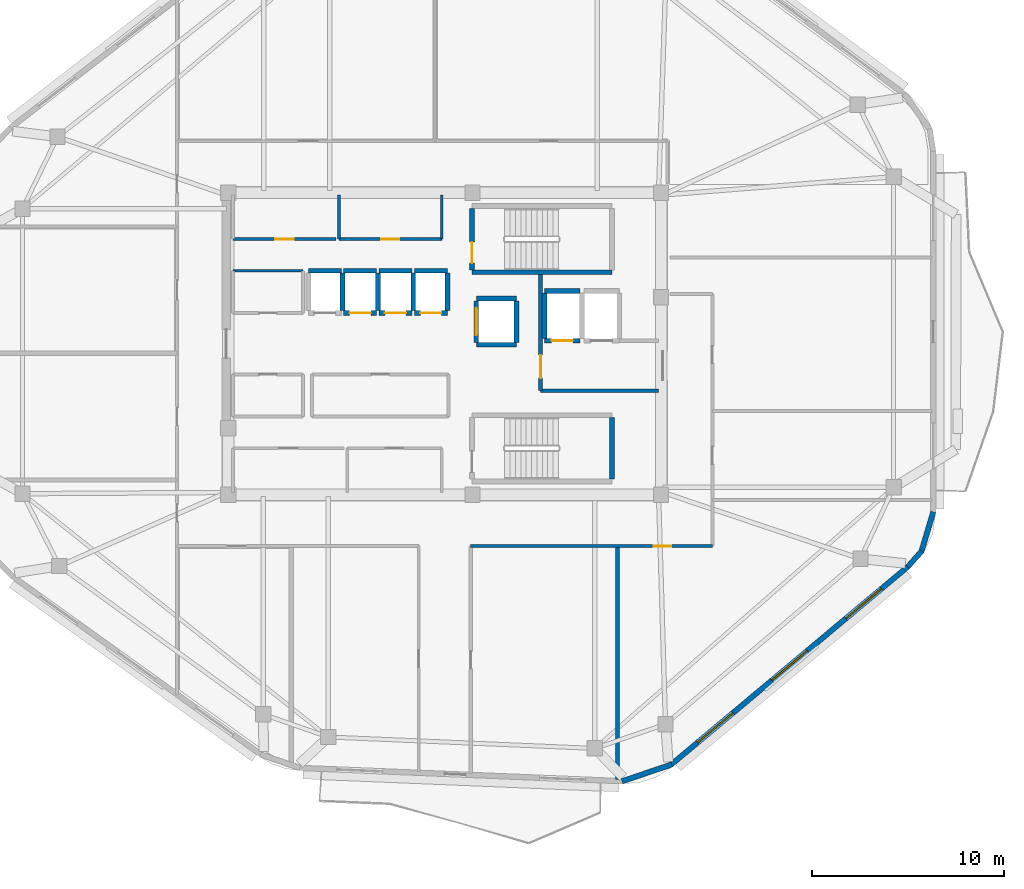
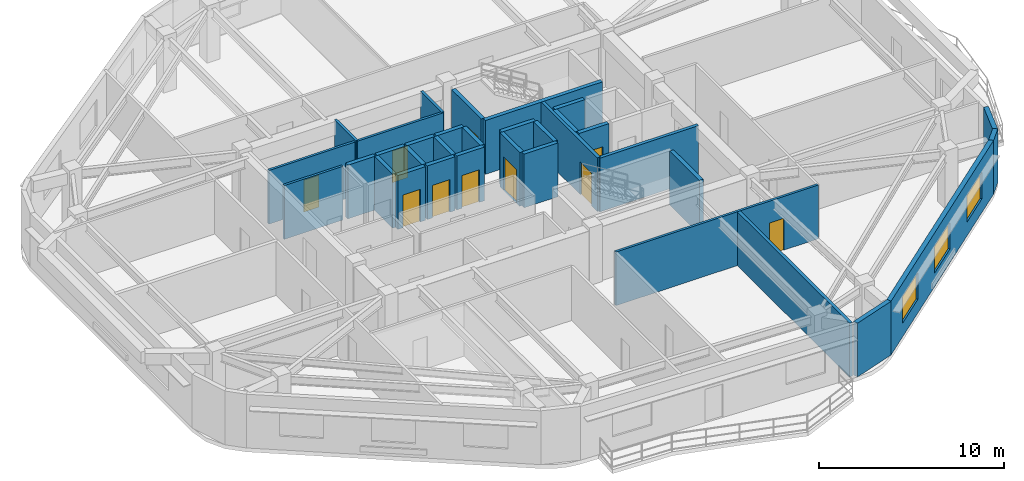
# One storey, part 4 of 8: 34 walls, 10 doors, 3 windows, 13 openings.
"""IFC4 building model written with IfcOpenShell, lengths in metres."""

from ifc_helpers import new_model, si_unit, direction, frame, frame_2d, origin, place, context, subcontext, project, spatial, rectangle, extrude, material, layer, layer_set, type_object, element, fill, save


model = new_model("IFC4")

# Units and contexts
model_context = context("Model", 3, precision=1e-05, world=origin(), true_north=direction((0.0, 1.0)))
body_context = subcontext(model_context, "Body", "Model", "MODEL_VIEW")
ifc_project = project(units=[si_unit("LENGTHUNIT", "METRE"), si_unit("AREAUNIT", "SQUARE_METRE"), si_unit("VOLUMEUNIT", "CUBIC_METRE"), si_unit("PLANEANGLEUNIT", "RADIAN"), si_unit("MASSUNIT", "GRAM", prefix="KILO")], contexts=[model_context])

# Site, building, storey
site_placement = place(None, origin())
site = spatial("IfcSite", under=ifc_project, at=site_placement, CompositionType="ELEMENT")
building_placement = place(site_placement, origin())
building = spatial("IfcBuilding", under=site, at=building_placement, Name="Zulverin Broadcast Headquarters", CompositionType="ELEMENT")
storey_placement = place(building_placement, frame((0.0, 0.0, 274.39990234375)))
storey = spatial("IfcBuildingStorey", under=building, at=storey_placement, Name="L70", CompositionType="ELEMENT", Elevation=274.39990234375)

# Wall
ifc_material_1 = material(Name="Acoustic drywall steel stud", Category="steel")
ifc_layer_1 = layer(ifc_material_1, 0.199951171875, Name="Acoustic drywall steel stud", Category="steel")
ifc_layer_set_1 = layer_set([ifc_layer_1], Name="Acoustic drywall steel stud")
wall_type_1 = type_object("IfcWallType", Name="WL-ACOU-200", PredefinedType="PARTITIONING", material=ifc_layer_set_1)
wall_1_placement = place(storey_placement, frame((46.0, 2.47705078125, 0.0), z_axis=(0.0, 0.0, 1.0), x_axis=(0.0, 1.0, 0.0)))
element("IfcWall", 1, at=wall_1_placement, inside=storey, type_object=wall_type_1, Name="L70 Room Partition Wall RP-03", PredefinedType="PARTITIONING", context=body_context, shape_type="SweptSolid", body=[
    extrude(rectangle(XDim=12.1728515625, YDim=0.199951171875, at=frame_2d((6.08642578125, 0.0))), origin(), (0.0, 0.0, 1.0), 3.5400390625),
])

# Wall, openings, windows
ifc_material_2 = material(Name="Insulated pale-metal clad concrete spandrel C40/50", Category="concrete")
ifc_layer_2 = layer(ifc_material_2, 0.280029296875, Name="Insulated pale-metal clad concrete spandrel C40/50", Category="concrete")
ifc_layer_set_2 = layer_set([ifc_layer_2], Name="Insulated pale-metal clad concrete spandrel C40/50")
wall_type_2 = type_object("IfcWallType", Name="WL-EXT-280", PredefinedType="STANDARD", material=ifc_layer_set_2)
wall_2_placement = place(storey_placement, frame((48.788818359375, 3.249755859375, 0.0), z_axis=(0.0, 0.0, 1.0), x_axis=(0.767032672101, 0.641608042288, 0.0)))
wall_2 = element("IfcWall", 2, at=wall_2_placement, inside=storey, type_object=wall_type_2, Name="L70 Pale-Metal Clad Spandrel Wall 2", PredefinedType="STANDARD", context=body_context, shape_type="SweptSolid", body=[
    extrude(rectangle(XDim=16.11328125, YDim=0.280029296875, at=frame_2d((8.056640625, 0.0))), origin(), (0.0, 0.0, 1.0), 3.5400390625),
])
opening_1_placement = place(wall_2_placement, frame((1.81884765625, 0.0, 0.89990234375)))
opening_1 = element("IfcOpeningElement", 3, at=opening_1_placement, cuts=wall_2, Name="Opening W-L70-E21", PredefinedType="OPENING", context=body_context, shape_type="SweptSolid", body=[
    extrude(rectangle(XDim=2.39990234375, YDim=1.75, at=frame_2d((1.199951171875, 0.875))), frame((0.0, 0.14990234375, 0.0), z_axis=(0.0, -1.0, 0.0), x_axis=(1.0, 0.0, 0.0)), (0.0, 0.0, 1.0), 0.300048828125),
])
opening_2_placement = place(wall_2_placement, frame((6.856689453125, 0.0, 0.89990234375)))
opening_2 = element("IfcOpeningElement", 4, at=opening_2_placement, cuts=wall_2, Name="Opening W-L70-E22", PredefinedType="OPENING", context=body_context, shape_type="SweptSolid", body=[
    extrude(rectangle(XDim=2.39990234375, YDim=1.75, at=frame_2d((1.199951171875, 0.875))), frame((0.0, 0.14990234375, 0.0), z_axis=(0.0, -1.0, 0.0), x_axis=(1.0, 0.0, 0.0)), (0.0, 0.0, 1.0), 0.300048828125),
])
opening_3_placement = place(wall_2_placement, frame((11.89453125, 0.0, 0.89990234375)))
opening_3 = element("IfcOpeningElement", 5, at=opening_3_placement, cuts=wall_2, Name="Opening W-L70-E23", PredefinedType="OPENING", context=body_context, shape_type="SweptSolid", body=[
    extrude(rectangle(XDim=2.39990234375, YDim=1.75, at=frame_2d((1.199951171875, 0.875))), frame((0.0, 0.14990234375, 0.0), z_axis=(0.0, -1.0, 0.0), x_axis=(1.0, 0.0, 0.0)), (0.0, 0.0, 1.0), 0.300048828125),
])
ifc_material_3 = material(Name="Pale anodized aluminium frame with solar-control low-E double glazing", Category="aluminium")
window_type = type_object("IfcWindowType", Name="WIN-RIB-2400", PartitioningType="SINGLE_PANEL", PredefinedType="WINDOW", material=ifc_material_3)
window_1_placement = place(opening_1_placement, origin())
window_1 = element("IfcWindow", 6, at=window_1_placement, inside=storey, type_object=window_type, Name="L70 Ribbon Glazing Window 2 1", OverallHeight=1.75, OverallWidth=2.39990234375, PartitioningType="SINGLE_PANEL", PredefinedType="WINDOW", context=body_context, shape_type="SweptSolid", body=[
    extrude(rectangle(XDim=2.39990234375, YDim=1.75, at=frame_2d((1.199951171875, 0.875))), frame((0.0, 0.030029296875, 0.0), z_axis=(0.0, -1.0, 0.0), x_axis=(1.0, 0.0, 0.0)), (0.0, 0.0, 1.0), 0.06005859375),
])
fill(opening_1, window_1)
window_2_placement = place(opening_2_placement, origin())
window_2 = element("IfcWindow", 7, at=window_2_placement, inside=storey, type_object=window_type, Name="L70 Ribbon Glazing Window 2 2", OverallHeight=1.75, OverallWidth=2.39990234375, PartitioningType="SINGLE_PANEL", PredefinedType="WINDOW", context=body_context, shape_type="SweptSolid", body=[
    extrude(rectangle(XDim=2.39990234375, YDim=1.75, at=frame_2d((1.199951171875, 0.875))), frame((0.0, 0.030029296875, 0.0), z_axis=(0.0, -1.0, 0.0), x_axis=(1.0, 0.0, 0.0)), (0.0, 0.0, 1.0), 0.06005859375),
])
fill(opening_2, window_2)
window_3_placement = place(opening_3_placement, origin())
window_3 = element("IfcWindow", 8, at=window_3_placement, inside=storey, type_object=window_type, Name="L70 Ribbon Glazing Window 2 3", OverallHeight=1.75, OverallWidth=2.39990234375, PartitioningType="SINGLE_PANEL", PredefinedType="WINDOW", context=body_context, shape_type="SweptSolid", body=[
    extrude(rectangle(XDim=2.39990234375, YDim=1.75, at=frame_2d((1.199951171875, 0.875))), frame((0.0, 0.030029296875, 0.0), z_axis=(0.0, -1.0, 0.0), x_axis=(1.0, 0.0, 0.0)), (0.0, 0.0, 1.0), 0.06005859375),
])
fill(opening_3, window_3)

# Walls
wall_3_placement = place(storey_placement, frame((46.239501953125, 2.392822265625, 0.0), z_axis=(0.0, 0.0, 1.0), x_axis=(0.946759165502, 0.321942669643, 0.0)))
element("IfcWall", 9, at=wall_3_placement, inside=storey, type_object=wall_type_2, Name="L70 Wind-Shaped Corner Spandrel Wall 1-1", PredefinedType="STANDARD", context=body_context, shape_type="SweptSolid", body=[
    extrude(rectangle(XDim=2.73974609375, YDim=0.280029296875, at=frame_2d((1.369873046875, 0.0))), origin(), (0.0, 0.0, 1.0), 3.5400390625),
])
wall_4_placement = place(storey_placement, frame((61.133544921875, 13.573974609375, 0.0), z_axis=(0.0, 0.0, 1.0), x_axis=(0.665804679247, 0.74612608123, 0.0)))
element("IfcWall", 10, at=wall_4_placement, inside=storey, type_object=wall_type_2, Name="L70 Wind-Shaped Corner Spandrel Wall 2-1", PredefinedType="STANDARD", context=body_context, shape_type="SweptSolid", body=[
    extrude(rectangle(XDim=1.103271484375, YDim=0.280029296875, at=frame_2d((0.5517578125, 0.0))), origin(), (0.0, 0.0, 1.0), 3.5400390625),
])
wall_5_placement = place(storey_placement, frame((61.838623046875, 14.34423828125, 0.0), z_axis=(0.0, 0.0, 1.0), x_axis=(0.287235049694, 0.957860128739, 0.0)))
element("IfcWall", 11, at=wall_5_placement, inside=storey, type_object=wall_type_2, Name="L70 Wind-Shaped Corner Spandrel Wall 2-2", PredefinedType="STANDARD", context=body_context, shape_type="SweptSolid", body=[
    extrude(rectangle(XDim=2.18359375, YDim=0.280029296875, at=frame_2d((1.091796875, 0.0))), origin(), (0.0, 0.0, 1.0), 3.5400390625),
])

# Wall, opening, door
ifc_material_4 = material(Name="Concrete C40/50", Category="concrete")
ifc_layer_3 = layer(ifc_material_4, 0.199951171875, Name="Concrete C40/50", Category="concrete")
ifc_layer_set_3 = layer_set([ifc_layer_3], Name="Concrete C40/50")
wall_type_3 = type_object("IfcWallType", Name="WL-FFL-200", PredefinedType="SOLIDWALL", material=ifc_layer_set_3)
wall_6_placement = place(storey_placement, frame((42.0, 22.75, 0.0), z_axis=(0.0, 0.0, 1.0), x_axis=(0.0, 1.0, 0.0)))
wall_6 = element("IfcWall", 12, at=wall_6_placement, inside=storey, type_object=wall_type_3, Name="L70 Firefighting Lift Lobby West Wall", PredefinedType="SOLIDWALL", context=body_context, shape_type="SweptSolid", body=[
    extrude(rectangle(XDim=6.050048828125, YDim=0.199951171875, at=frame_2d((3.02490234375, 0.0))), origin(), (0.0, 0.0, 1.0), 3.5400390625),
])
opening_4_placement = place(wall_6_placement, frame((0.64990234375, 0.0, 0.0)))
opening_4 = element("IfcOpeningElement", 13, at=opening_4_placement, cuts=wall_6, Name="Opening D-L70-FFLW", PredefinedType="OPENING", context=body_context, shape_type="SweptSolid", body=[
    extrude(rectangle(XDim=1.199951171875, YDim=2.14990234375, at=frame_2d((0.60009765625, 1.074951171875))), frame((0.0, 0.10986328125, 0.0), z_axis=(0.0, -1.0, 0.0), x_axis=(1.0, 0.0, 0.0)), (0.0, 0.0, 1.0), 0.219970703125),
])
ifc_material_5 = material(Name="Fire-rated steel leaf and frame", Category="steel")
door_type_1 = type_object("IfcDoorType", Name="DR-FFL-1200", OperationType="SINGLE_SWING_RIGHT", PredefinedType="DOOR", material=ifc_material_5)
door_1_placement = place(opening_4_placement, origin())
door_1 = element("IfcDoor", 14, at=door_1_placement, inside=storey, type_object=door_type_1, Name="L70 Firefighting Lift Lobby Door", OperationType="SINGLE_SWING_RIGHT", OverallHeight=2.14990234375, OverallWidth=1.199951171875, PredefinedType="DOOR", context=body_context, shape_type="SweptSolid", body=[
    extrude(rectangle(XDim=1.199951171875, YDim=2.14990234375, at=frame_2d((0.60009765625, 1.074951171875))), frame((0.0, 0.02490234375, 0.0), z_axis=(0.0, -1.0, 0.0), x_axis=(1.0, 0.0, 0.0)), (0.0, 0.0, 1.0), 0.050048828125),
])
fill(opening_4, door_1)

# Wall
wall_7_placement = place(storey_placement, frame((42.0, 22.75, 0.0), z_axis=(0.0, 0.0, 1.0), x_axis=(1.0, 0.0, 0.0)))
element("IfcWall", 15, at=wall_7_placement, inside=storey, type_object=wall_type_3, Name="L70 Firefighting Lift Lobby South Wall", PredefinedType="SOLIDWALL", context=body_context, shape_type="SweptSolid", body=[
    extrude(rectangle(XDim=6.14990234375, YDim=0.199951171875, at=frame_2d((3.074951171875, 0.0))), origin(), (0.0, 0.0, 1.0), 3.5400390625),
])

# Wall, opening, door
ifc_material_6 = material(Name="Fire-rated gypsum stud partition", Category="gypsum")
ifc_layer_4 = layer(ifc_material_6, 0.14990234375, Name="Fire-rated gypsum stud partition", Category="gypsum")
ifc_layer_set_4 = layer_set([ifc_layer_4], Name="Fire-rated gypsum stud partition")
wall_type_4 = type_object("IfcWallType", Name="WL-PART-150", PredefinedType="PARTITIONING", material=ifc_layer_set_4)
wall_8_placement = place(storey_placement, frame((25.969970703125, 30.64990234375, 0.0), z_axis=(0.0, 0.0, 1.0), x_axis=(1.0, 0.0, 0.0)))
wall_8 = element("IfcWall", 16, at=wall_8_placement, inside=storey, type_object=wall_type_4, Name="L70 Core Male WC Front Wall", PredefinedType="PARTITIONING", context=body_context, shape_type="SweptSolid", body=[
    extrude(rectangle(XDim=5.360107421875, YDim=0.14990234375, at=frame_2d((2.68017578125, 0.0))), origin(), (0.0, 0.0, 1.0), 3.5400390625),
])
opening_5_placement = place(wall_8_placement, frame((2.205078125, 0.0, 0.0)))
opening_5 = element("IfcOpeningElement", 17, at=opening_5_placement, cuts=wall_8, Name="Opening D-L70-NC1", PredefinedType="OPENING", context=body_context, shape_type="SweptSolid", body=[
    extrude(rectangle(XDim=0.949951171875, YDim=2.10009765625, at=frame_2d((0.47509765625, 1.050048828125))), frame((0.0, 0.0849609375, 0.0), z_axis=(0.0, -1.0, 0.0), x_axis=(1.0, 0.0, 0.0)), (0.0, 0.0, 1.0), 0.169921875),
])
ifc_material_7 = material(Name="Fire-rated moisture-resistant laminate leaf", Category="wood")
door_type_2 = type_object("IfcDoorType", Name="DR-WC-950", OperationType="SINGLE_SWING_LEFT", PredefinedType="DOOR", material=ifc_material_7)
door_2_placement = place(opening_5_placement, origin())
door_2 = element("IfcDoor", 18, at=door_2_placement, inside=storey, type_object=door_type_2, Name="L70 Male WC Door", OperationType="SINGLE_SWING_LEFT", OverallHeight=2.10009765625, OverallWidth=0.949951171875, PredefinedType="DOOR", context=body_context, shape_type="SweptSolid", body=[
    extrude(rectangle(XDim=0.949951171875, YDim=2.10009765625, at=frame_2d((0.47509765625, 1.050048828125))), frame((0.0, 0.02490234375, 0.0), z_axis=(0.0, -1.0, 0.0), x_axis=(1.0, 0.0, 0.0)), (0.0, 0.0, 1.0), 0.050048828125),
])
fill(opening_5, door_2)

wall_9_placement = place(storey_placement, frame((31.489990234375, 30.64990234375, 0.0), z_axis=(0.0, 0.0, 1.0), x_axis=(1.0, 0.0, 0.0)))
wall_9 = element("IfcWall", 19, at=wall_9_placement, inside=storey, type_object=wall_type_4, Name="L70 Core Accessible WC Front Wall", PredefinedType="PARTITIONING", context=body_context, shape_type="SweptSolid", body=[
    extrude(rectangle(XDim=5.360107421875, YDim=0.14990234375, at=frame_2d((2.68017578125, 0.0))), origin(), (0.0, 0.0, 1.0), 3.5400390625),
])
opening_6_placement = place(wall_9_placement, frame((2.205078125, 0.0, 0.0)))
opening_6 = element("IfcOpeningElement", 20, at=opening_6_placement, cuts=wall_9, Name="Opening D-L70-NC2", PredefinedType="OPENING", context=body_context, shape_type="SweptSolid", body=[
    extrude(rectangle(XDim=0.949951171875, YDim=2.10009765625, at=frame_2d((0.47509765625, 1.050048828125))), frame((0.0, 0.0849609375, 0.0), z_axis=(0.0, -1.0, 0.0), x_axis=(1.0, 0.0, 0.0)), (0.0, 0.0, 1.0), 0.169921875),
])
door_3_placement = place(opening_6_placement, origin())
door_3 = element("IfcDoor", 21, at=door_3_placement, inside=storey, type_object=door_type_2, Name="L70 Accessible WC Door", OperationType="SINGLE_SWING_RIGHT", OverallHeight=2.10009765625, OverallWidth=0.949951171875, PredefinedType="DOOR", context=body_context, shape_type="SweptSolid", body=[
    extrude(rectangle(XDim=0.949951171875, YDim=2.10009765625, at=frame_2d((0.47509765625, 1.050048828125))), frame((0.0, 0.02490234375, 0.0), z_axis=(0.0, -1.0, 0.0), x_axis=(1.0, 0.0, 0.0)), (0.0, 0.0, 1.0), 0.050048828125),
])
fill(opening_6, door_3)

# Walls
for number, where, z_axis, x_axis, name in (
    (22, (31.489990234375, 30.64990234375, 0.0), (0.0, 0.0, 1.0), (0.0, 1.0, 0.0), "L70 Core Accessible WC West Wall"),
    (23, (36.85009765625, 30.64990234375, 0.0), (0.0, 0.0, 1.0), (0.0, 1.0, 0.0), "L70 Core Accessible WC East Wall"),
):
    element("IfcWall", number, at=place(storey_placement, frame(where, z_axis=z_axis, x_axis=x_axis)), inside=storey, type_object=wall_type_4, Name=name, PredefinedType="PARTITIONING", context=body_context, shape_type="SweptSolid", body=[
        extrude(rectangle(XDim=2.300048828125, YDim=0.14990234375, at=frame_2d((1.14990234375, 0.0))), origin(), (0.0, 0.0, 1.0), 3.5400390625),
    ])
wall_10_placement = place(storey_placement, frame((25.969970703125, 29.0, 0.0), z_axis=(0.0, 0.0, 1.0), x_axis=(1.0, 0.0, 0.0)))
element("IfcWall", 24, at=wall_10_placement, inside=storey, type_object=wall_type_4, Name="L70 Broadcast Signal Patch Room N Wall", PredefinedType="PARTITIONING", context=body_context, shape_type="SweptSolid", body=[
    extrude(rectangle(XDim=3.650146484375, YDim=0.14990234375, at=frame_2d((1.8251953125, 0.0))), origin(), (0.0, 0.0, 1.0), 3.5400390625),
])

# Wall, opening, door
wall_11_placement = place(storey_placement, frame((38.35009765625, 14.64990234375, 0.0), z_axis=(0.0, 0.0, 1.0), x_axis=(1.0, 0.0, 0.0)))
wall_11 = element("IfcWall", 25, at=wall_11_placement, inside=storey, type_object=wall_type_4, Name="L70 Gallery Partition Wall CG-10", PredefinedType="PARTITIONING", context=body_context, shape_type="SweptSolid", body=[
    extrude(rectangle(XDim=12.599853515625, YDim=0.14990234375, at=frame_2d((6.2998046875, 0.0))), origin(), (0.0, 0.0, 1.0), 3.5400390625),
])
opening_7_placement = place(wall_11_placement, frame((9.554931640625, 0.0, 0.0)))
opening_7 = element("IfcOpeningElement", 26, at=opening_7_placement, cuts=wall_11, Name="Opening D-L70-06", PredefinedType="OPENING", context=body_context, shape_type="SweptSolid", body=[
    extrude(rectangle(XDim=0.89990234375, YDim=2.10009765625, at=frame_2d((0.449951171875, 1.050048828125))), frame((0.0, 0.0849609375, 0.0), z_axis=(0.0, -1.0, 0.0), x_axis=(1.0, 0.0, 0.0)), (0.0, 0.0, 1.0), 0.169921875),
])
ifc_material_8 = material(Name="Fire-rated hardwood veneer timber leaf", Category="wood")
door_type_3 = type_object("IfcDoorType", Name="DR-ROOM-900", OperationType="SINGLE_SWING_RIGHT", PredefinedType="DOOR", material=ifc_material_8)
door_4_placement = place(opening_7_placement, origin())
door_4 = element("IfcDoor", 27, at=door_4_placement, inside=storey, type_object=door_type_3, Name="L70 Panorama Cafe & Bar Door", OperationType="SINGLE_SWING_LEFT", OverallHeight=2.10009765625, OverallWidth=0.89990234375, PredefinedType="DOOR", context=body_context, shape_type="SweptSolid", body=[
    extrude(rectangle(XDim=0.89990234375, YDim=2.10009765625, at=frame_2d((0.449951171875, 1.050048828125))), frame((0.0, 0.02490234375, 0.0), z_axis=(0.0, -1.0, 0.0), x_axis=(1.0, 0.0, 0.0)), (0.0, 0.0, 1.0), 0.050048828125),
])
fill(opening_7, door_4)

# Wall
ifc_material_9 = material(Name="Concrete C50/60", Category="concrete")
ifc_layer_5 = layer(ifc_material_9, 0.25, Name="Concrete C50/60", Category="concrete")
ifc_layer_set_5 = layer_set([ifc_layer_5], Name="Concrete C50/60")
wall_type_5 = type_object("IfcWallType", Name="WL-SHAFT-250", PredefinedType="SHEAR", material=ifc_layer_set_5)
wall_12_placement = place(storey_placement, frame((38.425048828125, 28.925048828125, 0.0), z_axis=(0.0, 0.0, 1.0), x_axis=(1.0, 0.0, 0.0)))
element("IfcWall", 28, at=wall_12_placement, inside=storey, type_object=wall_type_5, Name="L70 ST-1 Enclosure Wall S", PredefinedType="SHEAR", context=body_context, shape_type="SweptSolid", body=[
    extrude(rectangle(XDim=7.300048828125, YDim=0.25, at=frame_2d((3.64990234375, 0.0))), origin(), (0.0, 0.0, 1.0), 3.5400390625),
])

# Wall, opening, door
wall_13_placement = place(storey_placement, frame((38.425048828125, 29.050048828125, 0.0), z_axis=(0.0, 0.0, 1.0), x_axis=(0.0, 1.0, 0.0)))
wall_13 = element("IfcWall", 29, at=wall_13_placement, inside=storey, type_object=wall_type_5, Name="L70 ST-1 Enclosure Wall W", PredefinedType="SHEAR", context=body_context, shape_type="SweptSolid", body=[
    extrude(rectangle(XDim=3.199951171875, YDim=0.25, at=frame_2d((1.60009765625, 0.0))), origin(), (0.0, 0.0, 1.0), 3.5400390625),
])
opening_8_placement = place(wall_13_placement, frame((0.35009765625, 0.0, 0.0)))
opening_8 = element("IfcOpeningElement", 30, at=opening_8_placement, cuts=wall_13, Name="Opening D-L70-ST-1", PredefinedType="OPENING", context=body_context, shape_type="SweptSolid", body=[
    extrude(rectangle(XDim=1.10009765625, YDim=2.14990234375, at=frame_2d((0.550048828125, 1.074951171875))), frame((0.0, 0.135009765625, 0.0), z_axis=(0.0, -1.0, 0.0), x_axis=(1.0, 0.0, 0.0)), (0.0, 0.0, 1.0), 0.27001953125),
])
door_type_4 = type_object("IfcDoorType", Name="DR-STAIR-1100", OperationType="SINGLE_SWING_LEFT", PredefinedType="DOOR", material=ifc_material_5)
door_5_placement = place(opening_8_placement, origin())
door_5 = element("IfcDoor", 31, at=door_5_placement, inside=storey, type_object=door_type_4, Name="L70 Exit Stair ST-1 Fire Door", OperationType="SINGLE_SWING_LEFT", OverallHeight=2.14990234375, OverallWidth=1.10009765625, PredefinedType="DOOR", context=body_context, shape_type="SweptSolid", body=[
    extrude(rectangle(XDim=1.10009765625, YDim=2.14990234375, at=frame_2d((0.550048828125, 1.074951171875))), frame((0.0, 0.02490234375, 0.0), z_axis=(0.0, -1.0, 0.0), x_axis=(1.0, 0.0, 0.0)), (0.0, 0.0, 1.0), 0.050048828125),
])
fill(opening_8, door_5)

# Walls
wall_14_placement = place(storey_placement, frame((45.72509765625, 18.14990234375, 0.0), z_axis=(0.0, 0.0, 1.0), x_axis=(0.0, 1.0, 0.0)))
element("IfcWall", 32, at=wall_14_placement, inside=storey, type_object=wall_type_5, Name="L70 ST-2 Enclosure Wall E", PredefinedType="SHEAR", context=body_context, shape_type="SweptSolid", body=[
    extrude(rectangle(XDim=3.2001953125, YDim=0.25, at=frame_2d((1.60009765625, 0.0))), origin(), (0.0, 0.0, 1.0), 3.5400390625),
])
wall_15_placement = place(storey_placement, frame((29.89990234375, 29.0, 0.0), z_axis=(0.0, 0.0, 1.0), x_axis=(1.0, 0.0, 0.0)))
element("IfcWall", 33, at=wall_15_placement, inside=storey, type_object=wall_type_5, Name="L70 Lift PL-H1 Shaft Wall N", PredefinedType="SHEAR", context=body_context, shape_type="SweptSolid", body=[
    extrude(rectangle(XDim=1.72021484375, YDim=0.25, at=frame_2d((0.860107421875, 0.0))), origin(), (0.0, 0.0, 1.0), 3.5400390625),
])
wall_16_placement = place(storey_placement, frame((31.679931640625, 26.919921875, 0.0), z_axis=(0.0, 0.0, 1.0), x_axis=(0.0, 1.0, 0.0)))
element("IfcWall", 34, at=wall_16_placement, inside=storey, type_object=wall_type_5, Name="L70 Lift PL-H1 Shaft Wall E", PredefinedType="SHEAR", context=body_context, shape_type="SweptSolid", body=[
    extrude(rectangle(XDim=1.9599609375, YDim=0.25, at=frame_2d((0.97998046875, 0.0))), origin(), (0.0, 0.0, 1.0), 3.5400390625),
])

# Wall, opening, door
wall_17_placement = place(storey_placement, frame((31.739990234375, 26.800048828125, 0.0), z_axis=(0.0, 0.0, 1.0), x_axis=(1.0, 0.0, 0.0)))
wall_17 = element("IfcWall", 35, at=wall_17_placement, inside=storey, type_object=wall_type_5, Name="L70 Lift PL-H2 Shaft Wall S", PredefinedType="SHEAR", context=body_context, shape_type="SweptSolid", body=[
    extrude(rectangle(XDim=1.719970703125, YDim=0.25, at=frame_2d((0.85986328125, 0.0))), origin(), (0.0, 0.0, 1.0), 3.5400390625),
])
opening_9_placement = place(wall_17_placement, frame((0.31005859375, 0.0, 0.0)))
opening_9 = element("IfcOpeningElement", 36, at=opening_9_placement, cuts=wall_17, Name="Opening LD-PL-H2-L70", PredefinedType="OPENING", context=body_context, shape_type="SweptSolid", body=[
    extrude(rectangle(XDim=1.10009765625, YDim=2.14990234375, at=frame_2d((0.550048828125, 1.074951171875))), frame((0.0, 0.135009765625, 0.0), z_axis=(0.0, -1.0, 0.0), x_axis=(1.0, 0.0, 0.0)), (0.0, 0.0, 1.0), 0.27001953125),
])
ifc_material_10 = material(Name="Brushed stainless steel landing", Category="steel")
door_type_5 = type_object("IfcDoorType", Name="LD-PASS-1100", OperationType="DOUBLE_DOOR_SLIDING", PredefinedType="DOOR", material=ifc_material_10)
door_6_placement = place(opening_9_placement, origin())
door_6 = element("IfcDoor", 37, at=door_6_placement, inside=storey, type_object=door_type_5, Name="L70 Lift PL-H2 Sliding Landing Door", OperationType="DOUBLE_DOOR_SLIDING", OverallHeight=2.14990234375, OverallWidth=1.10009765625, PredefinedType="DOOR", context=body_context, shape_type="SweptSolid", body=[
    extrude(rectangle(XDim=1.10009765625, YDim=2.14990234375, at=frame_2d((0.550048828125, 1.074951171875))), frame((0.0, 0.02490234375, 0.0), z_axis=(0.0, -1.0, 0.0), x_axis=(1.0, 0.0, 0.0)), (0.0, 0.0, 1.0), 0.050048828125),
])
fill(opening_9, door_6)

# Walls
wall_18_placement = place(storey_placement, frame((31.739990234375, 29.0, 0.0), z_axis=(0.0, 0.0, 1.0), x_axis=(1.0, 0.0, 0.0)))
element("IfcWall", 38, at=wall_18_placement, inside=storey, type_object=wall_type_5, Name="L70 Lift PL-H2 Shaft Wall N", PredefinedType="SHEAR", context=body_context, shape_type="SweptSolid", body=[
    extrude(rectangle(XDim=1.719970703125, YDim=0.25, at=frame_2d((0.85986328125, 0.0))), origin(), (0.0, 0.0, 1.0), 3.5400390625),
])
wall_19_placement = place(storey_placement, frame((33.52001953125, 26.919921875, 0.0), z_axis=(0.0, 0.0, 1.0), x_axis=(0.0, 1.0, 0.0)))
element("IfcWall", 39, at=wall_19_placement, inside=storey, type_object=wall_type_5, Name="L70 Lift PL-H2 Shaft Wall E", PredefinedType="SHEAR", context=body_context, shape_type="SweptSolid", body=[
    extrude(rectangle(XDim=1.9599609375, YDim=0.25, at=frame_2d((0.97998046875, 0.0))), origin(), (0.0, 0.0, 1.0), 3.5400390625),
])

# Wall, opening, door
wall_20_placement = place(storey_placement, frame((33.580078125, 26.800048828125, 0.0), z_axis=(0.0, 0.0, 1.0), x_axis=(1.0, 0.0, 0.0)))
wall_20 = element("IfcWall", 40, at=wall_20_placement, inside=storey, type_object=wall_type_5, Name="L70 Lift PL-H3 Shaft Wall S", PredefinedType="SHEAR", context=body_context, shape_type="SweptSolid", body=[
    extrude(rectangle(XDim=1.719970703125, YDim=0.25, at=frame_2d((0.85986328125, 0.0))), origin(), (0.0, 0.0, 1.0), 3.5400390625),
])
opening_10_placement = place(wall_20_placement, frame((0.31005859375, 0.0, 0.0)))
opening_10 = element("IfcOpeningElement", 41, at=opening_10_placement, cuts=wall_20, Name="Opening LD-PL-H3-L70", PredefinedType="OPENING", context=body_context, shape_type="SweptSolid", body=[
    extrude(rectangle(XDim=1.10009765625, YDim=2.14990234375, at=frame_2d((0.550048828125, 1.074951171875))), frame((0.0, 0.135009765625, 0.0), z_axis=(0.0, -1.0, 0.0), x_axis=(1.0, 0.0, 0.0)), (0.0, 0.0, 1.0), 0.27001953125),
])
door_7_placement = place(opening_10_placement, origin())
door_7 = element("IfcDoor", 42, at=door_7_placement, inside=storey, type_object=door_type_5, Name="L70 Lift PL-H3 Sliding Landing Door", OperationType="DOUBLE_DOOR_SLIDING", OverallHeight=2.14990234375, OverallWidth=1.10009765625, PredefinedType="DOOR", context=body_context, shape_type="SweptSolid", body=[
    extrude(rectangle(XDim=1.10009765625, YDim=2.14990234375, at=frame_2d((0.550048828125, 1.074951171875))), frame((0.0, 0.02490234375, 0.0), z_axis=(0.0, -1.0, 0.0), x_axis=(1.0, 0.0, 0.0)), (0.0, 0.0, 1.0), 0.050048828125),
])
fill(opening_10, door_7)

# Walls
wall_21_placement = place(storey_placement, frame((33.580078125, 29.0, 0.0), z_axis=(0.0, 0.0, 1.0), x_axis=(1.0, 0.0, 0.0)))
element("IfcWall", 43, at=wall_21_placement, inside=storey, type_object=wall_type_5, Name="L70 Lift PL-H3 Shaft Wall N", PredefinedType="SHEAR", context=body_context, shape_type="SweptSolid", body=[
    extrude(rectangle(XDim=1.719970703125, YDim=0.25, at=frame_2d((0.85986328125, 0.0))), origin(), (0.0, 0.0, 1.0), 3.5400390625),
])
wall_22_placement = place(storey_placement, frame((35.360107421875, 26.919921875, 0.0), z_axis=(0.0, 0.0, 1.0), x_axis=(0.0, 1.0, 0.0)))
element("IfcWall", 44, at=wall_22_placement, inside=storey, type_object=wall_type_5, Name="L70 Lift PL-H3 Shaft Wall E", PredefinedType="SHEAR", context=body_context, shape_type="SweptSolid", body=[
    extrude(rectangle(XDim=1.9599609375, YDim=0.25, at=frame_2d((0.97998046875, 0.0))), origin(), (0.0, 0.0, 1.0), 3.5400390625),
])

# Wall, opening, door
wall_23_placement = place(storey_placement, frame((35.419921875, 26.800048828125, 0.0), z_axis=(0.0, 0.0, 1.0), x_axis=(1.0, 0.0, 0.0)))
wall_23 = element("IfcWall", 45, at=wall_23_placement, inside=storey, type_object=wall_type_5, Name="L70 Lift PL-H4 Shaft Wall S", PredefinedType="SHEAR", context=body_context, shape_type="SweptSolid", body=[
    extrude(rectangle(XDim=1.719970703125, YDim=0.25, at=frame_2d((0.85986328125, 0.0))), origin(), (0.0, 0.0, 1.0), 3.5400390625),
])
opening_11_placement = place(wall_23_placement, frame((0.31005859375, 0.0, 0.0)))
opening_11 = element("IfcOpeningElement", 46, at=opening_11_placement, cuts=wall_23, Name="Opening LD-PL-H4-L70", PredefinedType="OPENING", context=body_context, shape_type="SweptSolid", body=[
    extrude(rectangle(XDim=1.10009765625, YDim=2.14990234375, at=frame_2d((0.550048828125, 1.074951171875))), frame((0.0, 0.135009765625, 0.0), z_axis=(0.0, -1.0, 0.0), x_axis=(1.0, 0.0, 0.0)), (0.0, 0.0, 1.0), 0.27001953125),
])
door_8_placement = place(opening_11_placement, origin())
door_8 = element("IfcDoor", 47, at=door_8_placement, inside=storey, type_object=door_type_5, Name="L70 Lift PL-H4 Sliding Landing Door", OperationType="DOUBLE_DOOR_SLIDING", OverallHeight=2.14990234375, OverallWidth=1.10009765625, PredefinedType="DOOR", context=body_context, shape_type="SweptSolid", body=[
    extrude(rectangle(XDim=1.10009765625, YDim=2.14990234375, at=frame_2d((0.550048828125, 1.074951171875))), frame((0.0, 0.02490234375, 0.0), z_axis=(0.0, -1.0, 0.0), x_axis=(1.0, 0.0, 0.0)), (0.0, 0.0, 1.0), 0.050048828125),
])
fill(opening_11, door_8)

# Walls
wall_24_placement = place(storey_placement, frame((35.419921875, 29.0, 0.0), z_axis=(0.0, 0.0, 1.0), x_axis=(1.0, 0.0, 0.0)))
element("IfcWall", 48, at=wall_24_placement, inside=storey, type_object=wall_type_5, Name="L70 Lift PL-H4 Shaft Wall N", PredefinedType="SHEAR", context=body_context, shape_type="SweptSolid", body=[
    extrude(rectangle(XDim=1.719970703125, YDim=0.25, at=frame_2d((0.85986328125, 0.0))), origin(), (0.0, 0.0, 1.0), 3.5400390625),
])
wall_25_placement = place(storey_placement, frame((37.139892578125, 26.919921875, 0.0), z_axis=(0.0, 0.0, 1.0), x_axis=(0.0, 1.0, 0.0)))
element("IfcWall", 49, at=wall_25_placement, inside=storey, type_object=wall_type_5, Name="L70 Lift PL-H4 Shaft Wall E", PredefinedType="SHEAR", context=body_context, shape_type="SweptSolid", body=[
    extrude(rectangle(XDim=1.9599609375, YDim=0.25, at=frame_2d((0.97998046875, 0.0))), origin(), (0.0, 0.0, 1.0), 3.5400390625),
])

# Wall, opening, door
wall_26_placement = place(storey_placement, frame((42.199951171875, 25.35009765625, 0.0), z_axis=(0.0, 0.0, 1.0), x_axis=(1.0, 0.0, 0.0)))
wall_26 = element("IfcWall", 50, at=wall_26_placement, inside=storey, type_object=wall_type_5, Name="L70 Lift FFL-1 Shaft Wall S", PredefinedType="SHEAR", context=body_context, shape_type="SweptSolid", body=[
    extrude(rectangle(XDim=1.85009765625, YDim=0.25, at=frame_2d((0.925048828125, 0.0))), origin(), (0.0, 0.0, 1.0), 3.5400390625),
])
opening_12_placement = place(wall_26_placement, frame((0.375, 0.0, 0.0)))
opening_12 = element("IfcOpeningElement", 51, at=opening_12_placement, cuts=wall_26, Name="Opening LD-FFL-1-L70", PredefinedType="OPENING", context=body_context, shape_type="SweptSolid", body=[
    extrude(rectangle(XDim=1.10009765625, YDim=2.14990234375, at=frame_2d((0.550048828125, 1.074951171875))), frame((0.0, 0.135009765625, 0.0), z_axis=(0.0, -1.0, 0.0), x_axis=(1.0, 0.0, 0.0)), (0.0, 0.0, 1.0), 0.27001953125),
])
ifc_material_11 = material(Name="Fire-rated stainless landing door", Category="steel")
door_type_6 = type_object("IfcDoorType", Name="LD-FFL-1100", OperationType="DOUBLE_DOOR_SLIDING", PredefinedType="DOOR", material=ifc_material_11)
door_9_placement = place(opening_12_placement, origin())
door_9 = element("IfcDoor", 52, at=door_9_placement, inside=storey, type_object=door_type_6, Name="L70 Lift FFL-1 Sliding Landing Door", OperationType="DOUBLE_DOOR_SLIDING", OverallHeight=2.14990234375, OverallWidth=1.10009765625, PredefinedType="DOOR", context=body_context, shape_type="SweptSolid", body=[
    extrude(rectangle(XDim=1.10009765625, YDim=2.14990234375, at=frame_2d((0.550048828125, 1.074951171875))), frame((0.0, 0.02490234375, 0.0), z_axis=(0.0, -1.0, 0.0), x_axis=(1.0, 0.0, 0.0)), (0.0, 0.0, 1.0), 0.050048828125),
])
fill(opening_12, door_9)

# Walls
wall_27_placement = place(storey_placement, frame((42.199951171875, 27.949951171875, 0.0), z_axis=(0.0, 0.0, 1.0), x_axis=(1.0, 0.0, 0.0)))
element("IfcWall", 53, at=wall_27_placement, inside=storey, type_object=wall_type_5, Name="L70 Lift FFL-1 Shaft Wall N", PredefinedType="SHEAR", context=body_context, shape_type="SweptSolid", body=[
    extrude(rectangle(XDim=1.85009765625, YDim=0.25, at=frame_2d((0.925048828125, 0.0))), origin(), (0.0, 0.0, 1.0), 3.5400390625),
])
wall_28_placement = place(storey_placement, frame((42.199951171875, 25.469970703125, 0.0), z_axis=(0.0, 0.0, 1.0), x_axis=(0.0, 1.0, 0.0)))
element("IfcWall", 54, at=wall_28_placement, inside=storey, type_object=wall_type_5, Name="L70 Lift FFL-1 Shaft Wall W", PredefinedType="SHEAR", context=body_context, shape_type="SweptSolid", body=[
    extrude(rectangle(XDim=2.360107421875, YDim=0.25, at=frame_2d((1.18017578125, 0.0))), origin(), (0.0, 0.0, 1.0), 3.5400390625),
])
for number, where, z_axis, x_axis, name in (
    (55, (38.64990234375, 25.14990234375, 0.0), (0.0, 0.0, 1.0), (1.0, 0.0, 0.0), "L70 Lift SVL-1 Shaft Wall S"),
    (56, (38.64990234375, 27.550048828125, 0.0), (0.0, 0.0, 1.0), (1.0, 0.0, 0.0), "L70 Lift SVL-1 Shaft Wall N"),
):
    element("IfcWall", number, at=place(storey_placement, frame(where, z_axis=z_axis, x_axis=x_axis)), inside=storey, type_object=wall_type_5, Name=name, PredefinedType="SHEAR", context=body_context, shape_type="SweptSolid", body=[
        extrude(rectangle(XDim=2.10009765625, YDim=0.25, at=frame_2d((1.050048828125, 0.0))), origin(), (0.0, 0.0, 1.0), 3.5400390625),
    ])

# Wall, opening, door
wall_29_placement = place(storey_placement, frame((38.64990234375, 25.27001953125, 0.0), z_axis=(0.0, 0.0, 1.0), x_axis=(0.0, 1.0, 0.0)))
wall_29 = element("IfcWall", 57, at=wall_29_placement, inside=storey, type_object=wall_type_5, Name="L70 Lift SVL-1 Shaft Wall W", PredefinedType="SHEAR", context=body_context, shape_type="SweptSolid", body=[
    extrude(rectangle(XDim=2.159912109375, YDim=0.25, at=frame_2d((1.080078125, 0.0))), origin(), (0.0, 0.0, 1.0), 3.5400390625),
])
opening_13_placement = place(wall_29_placement, frame((0.3798828125, 0.0, 0.0)))
opening_13 = element("IfcOpeningElement", 58, at=opening_13_placement, cuts=wall_29, Name="Opening LD-SVL-1-L70", PredefinedType="OPENING", context=body_context, shape_type="SweptSolid", body=[
    extrude(rectangle(XDim=1.39990234375, YDim=2.199951171875, at=frame_2d((0.699951171875, 1.10009765625))), frame((0.0, 0.135009765625, 0.0), z_axis=(0.0, -1.0, 0.0), x_axis=(1.0, 0.0, 0.0)), (0.0, 0.0, 1.0), 0.27001953125),
])
ifc_material_12 = material(Name="Heavy-duty stainless landing door", Category="steel")
door_type_7 = type_object("IfcDoorType", Name="LD-GOODS-1400", OperationType="DOUBLE_DOOR_SLIDING", PredefinedType="DOOR", material=ifc_material_12)
door_10_placement = place(opening_13_placement, origin())
door_10 = element("IfcDoor", 59, at=door_10_placement, inside=storey, type_object=door_type_7, Name="L70 Lift SVL-1 Sliding Landing Door", OperationType="DOUBLE_DOOR_SLIDING", OverallHeight=2.199951171875, OverallWidth=1.39990234375, PredefinedType="DOOR", context=body_context, shape_type="SweptSolid", body=[
    extrude(rectangle(XDim=1.39990234375, YDim=2.199951171875, at=frame_2d((0.699951171875, 1.10009765625))), frame((0.0, 0.02490234375, 0.0), z_axis=(0.0, -1.0, 0.0), x_axis=(1.0, 0.0, 0.0)), (0.0, 0.0, 1.0), 0.050048828125),
])
fill(opening_13, door_10)

# Wall
wall_30_placement = place(storey_placement, frame((40.75, 25.27001953125, 0.0), z_axis=(0.0, 0.0, 1.0), x_axis=(0.0, 1.0, 0.0)))
element("IfcWall", 60, at=wall_30_placement, inside=storey, type_object=wall_type_5, Name="L70 Lift SVL-1 Shaft Wall E", PredefinedType="SHEAR", context=body_context, shape_type="SweptSolid", body=[
    extrude(rectangle(XDim=2.159912109375, YDim=0.25, at=frame_2d((1.080078125, 0.0))), origin(), (0.0, 0.0, 1.0), 3.5400390625),
])

save(model, "model.ifc")
